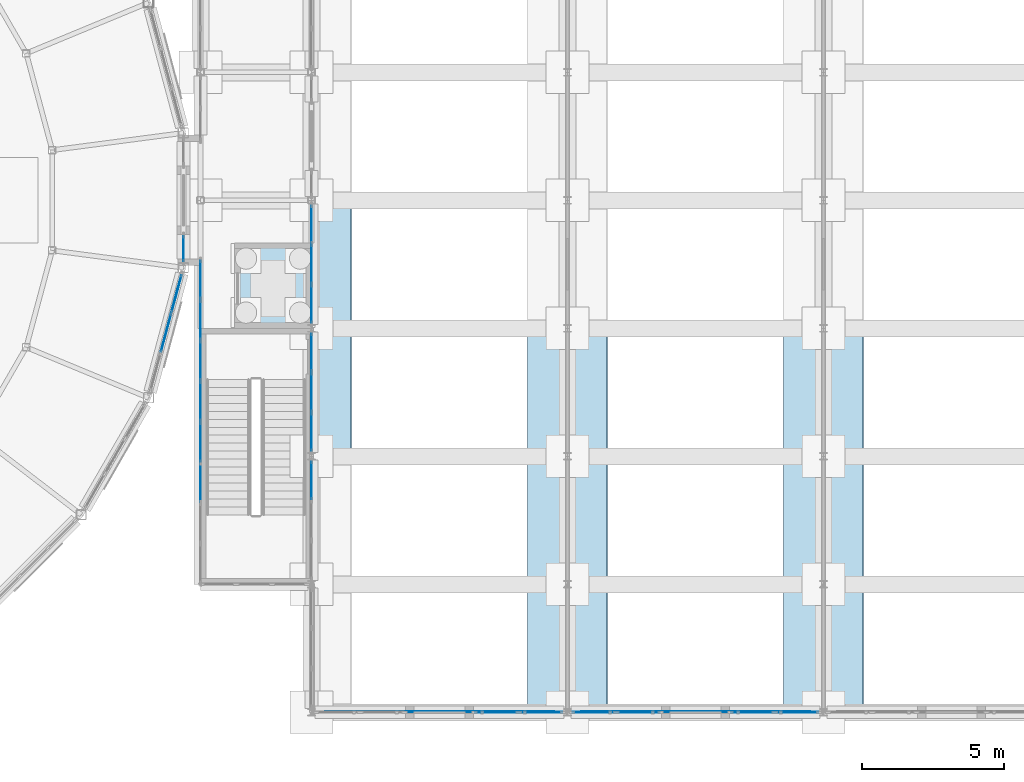
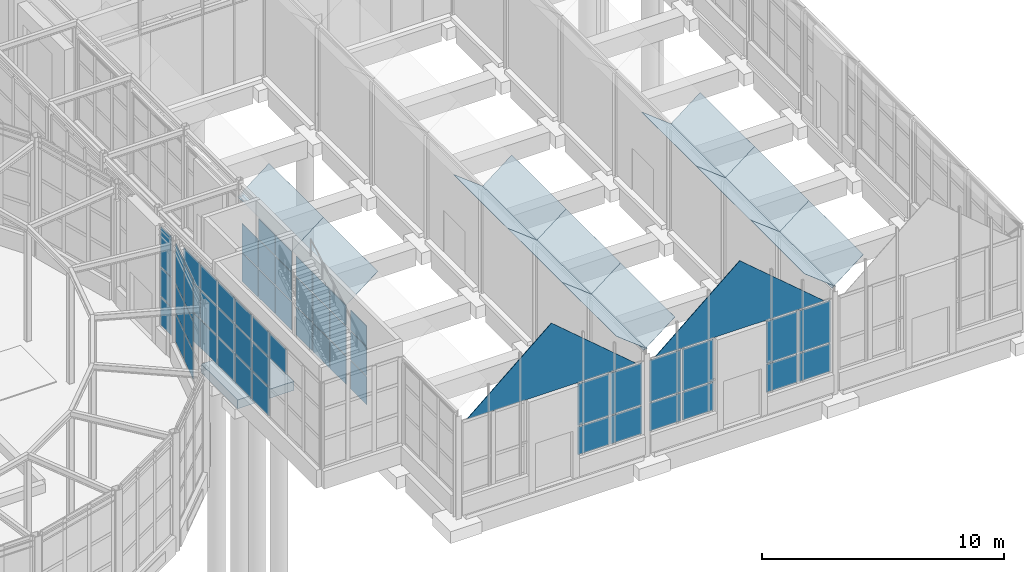
# One storey, part 62 of 106: 73 plates, 1 slab, 9 elements without a shape of their own.
"""IFC4 building model written with IfcOpenShell, lengths in metres."""

from ifc_helpers import new_model, si_unit, direction, frame, origin, origin_2d, place, context, subcontext, project, spatial, polyline, rectangle, outline, extrude, material, layer, layer_set, type_object, element, aggregate, save


model = new_model("IFC4")

# Units and contexts
model_context = context("Model", 3, precision=1e-05, world=origin(), true_north=direction((0.0, 1.0)))
body_context = subcontext(model_context, "Body", "Model", "MODEL_VIEW")
ifc_project = project(units=[si_unit("LENGTHUNIT", "METRE"), si_unit("AREAUNIT", "SQUARE_METRE"), si_unit("VOLUMEUNIT", "CUBIC_METRE"), si_unit("PLANEANGLEUNIT", "RADIAN"), si_unit("MASSUNIT", "GRAM", prefix="KILO")], contexts=[model_context])

# Site, building, storey
site_placement = place(None, origin())
site = spatial("IfcSite", under=ifc_project, at=site_placement, CompositionType="ELEMENT")
building_placement = place(site_placement, origin())
building = spatial("IfcBuilding", under=site, at=building_placement, Name="Hortulan Conservatory and Botanical Research Centre", CompositionType="ELEMENT")
storey_placement = place(building_placement, origin())
storey = spatial("IfcBuildingStorey", under=building, at=storey_placement, Name="L00", CompositionType="ELEMENT", Elevation=0.0)

# Plates
ifc_material_1 = material(Name="Verdigris copper-green zinc sheet on timber decking", Category="wood")
ifc_layer_1 = layer(ifc_material_1, 0.011962890625)
ifc_layer_set_1 = layer_set([ifc_layer_1], Name="Climate House End Bay Zinc Roof Panel 12")
plate_type_1 = type_object("IfcPlateType", Name="Climate House End Bay Zinc Roof Panel 12", PredefinedType="SHEET", material=ifc_layer_set_1)
for number, where, z_axis, x_axis, name in (
    (1, (85.60205078125, 4.5, 5.131103515625), (0.613967295793, 0.0, 0.789331463769), (-0.789331463769, 0.0, 0.613967295793), "Climate house end bay roof panel"),
    (2, (85.39794921875, 0.0, 5.131103515625), (-0.613967295793, 0.0, 0.789331463769), (0.789331463769, 0.0, 0.613967295793), "Climate house end bay roof panel"),
    (3, (94.60205078125, 4.5, 5.131103515625), (0.613967295793, 0.0, 0.789331463769), (-0.789331463769, 0.0, 0.613967295793), "Climate house end bay roof panel"),
    (4, (94.39794921875, 0.0, 5.131103515625), (-0.613967295793, 0.0, 0.789331463769), (0.789331463769, 0.0, 0.613967295793), "Climate house end bay roof panel"),
):
    element("IfcPlate", number, at=place(storey_placement, frame(where, z_axis=z_axis, x_axis=x_axis)), inside=storey, type_object=plate_type_1, Name=name, PredefinedType="SHEET", context=body_context, shape_type="SweptSolid", body=[
        extrude(outline(polyline([(0.0, 0.0), (1.9003423388659808, 0.0), (1.9003423388659808, 4.5), (0.0, 4.5), (0.0, 0.0)])), origin(), (0.0, 0.0, -1.0), 0.011962890625),
    ])
ifc_material_2 = material(Name="Low-e laminated glass", Category="glass")
ifc_layer_2 = layer(ifc_material_2, 0.028076171875)
ifc_layer_set_2 = layer_set([ifc_layer_2], Name="Gable Glazing Panel 28 (laminated)")
plate_type_2 = type_object("IfcPlateType", Name="Gable Glazing Panel 28 (laminated)", PredefinedType="SHEET", material=ifc_layer_set_2)
for number, where, z_axis, x_axis, name in (
    (5, (76.949951171875, 0.0, 4.60009765625), (0.0, -1.0, 0.0), (1.0, 0.0, 0.0), "Gable glazing"),
    (6, (85.949951171875, 0.0, 4.60009765625), (0.0, -1.0, 0.0), (1.0, 0.0, 0.0), "Gable glazing"),
):
    element("IfcPlate", number, at=place(storey_placement, frame(where, z_axis=z_axis, x_axis=x_axis)), inside=storey, type_object=plate_type_2, Name=name, PredefinedType="SHEET", context=body_context, shape_type="SweptSolid", body=[
        extrude(outline(polyline([(0.0, 0.0), (8.10009765625, 0.0), (4.050048828125, 3.449951171875), (0.0, 0.0)])), origin(), (0.0, 0.0, -1.0), 0.028076171875),
    ])
ifc_layer_3 = layer(ifc_material_2, 0.011962890625)
ifc_layer_set_3 = layer_set([ifc_layer_3], Name="Glasshouse Roof Glazing Panel 12")
plate_type_3 = type_object("IfcPlateType", Name="Glasshouse Roof Glazing Panel 12", PredefinedType="SHEET", material=ifc_layer_set_3)
for number, where, z_axis, x_axis, name in (
    (7, (76.39794921875, 9.0, 5.131103515625), (-0.613967295793, 0.0, 0.789331463769), (0.789331463769, 0.0, 0.613967295793), "Glasshouse roof panel"),
    (8, (76.39794921875, 13.5, 5.131103515625), (-0.613967295793, 0.0, 0.789331463769), (0.789331463769, 0.0, 0.613967295793), "Glasshouse roof panel"),
    (9, (85.60205078125, 9.0, 5.131103515625), (0.613967295793, 0.0, 0.789331463769), (-0.789331463769, 0.0, 0.613967295793), "Glasshouse roof panel"),
    (10, (85.60205078125, 13.5, 5.131103515625), (0.613967295793, 0.0, 0.789331463769), (-0.789331463769, 0.0, 0.613967295793), "Glasshouse roof panel"),
    (11, (85.39794921875, 4.5, 5.131103515625), (-0.613967295793, 0.0, 0.789331463769), (0.789331463769, 0.0, 0.613967295793), "Glasshouse roof panel"),
    (12, (85.39794921875, 9.0, 5.131103515625), (-0.613967295793, 0.0, 0.789331463769), (0.789331463769, 0.0, 0.613967295793), "Glasshouse roof panel"),
    (13, (94.60205078125, 9.0, 5.131103515625), (0.613967295793, 0.0, 0.789331463769), (-0.789331463769, 0.0, 0.613967295793), "Glasshouse roof panel"),
    (14, (94.60205078125, 13.5, 5.131103515625), (0.613967295793, 0.0, 0.789331463769), (-0.789331463769, 0.0, 0.613967295793), "Glasshouse roof panel"),
    (15, (94.39794921875, 4.5, 5.131103515625), (-0.613967295793, 0.0, 0.789331463769), (0.789331463769, 0.0, 0.613967295793), "Glasshouse roof panel"),
    (16, (94.39794921875, 9.0, 5.131103515625), (-0.613967295793, 0.0, 0.789331463769), (0.789331463769, 0.0, 0.613967295793), "Glasshouse roof panel"),
):
    element("IfcPlate", number, at=place(storey_placement, frame(where, z_axis=z_axis, x_axis=x_axis)), inside=storey, type_object=plate_type_3, Name=name, PredefinedType="SHEET", context=body_context, shape_type="SweptSolid", body=[
        extrude(outline(polyline([(0.0, 0.0), (1.9003423388659808, 0.0), (1.9003423388659808, 4.5), (0.0, 4.5), (0.0, 0.0)])), origin(), (0.0, 0.0, -1.0), 0.011962890625),
    ])

# Curtain wall, plates
ifc_material_3 = material(Name="Bronze-finished aluminium", Category="aluminium")
ifc_layer_4 = layer(ifc_material_3, 0.10009765625)
ifc_layer_set_4 = layer_set([ifc_layer_4], Name="Bronze-framed Curtain Wall 1500 module")
curtain_wall_type = type_object("IfcCurtainWallType", Name="Bronze-framed Curtain Wall 1500 module", PredefinedType="NOTDEFINED", material=ifc_layer_set_4)
curtain_wall_1_placement = place(storey_placement, origin())
curtain_wall_1 = element("IfcCurtainWall", 17, at=curtain_wall_1_placement, inside=storey, type_object=curtain_wall_type, Name="Curtain wall", PredefinedType="NOTDEFINED")
ifc_layer_5 = layer(ifc_material_2, 0.028076171875)
ifc_layer_set_5 = layer_set([ifc_layer_5], Name="Laminated Glass Panel 28")
plate_type_4 = type_object("IfcPlateType", Name="Laminated Glass Panel 28", PredefinedType="CURTAIN_PANEL", material=ifc_layer_set_5)
plate_1_placement = place(storey_placement, frame((71.754638671875, 14.714599609375, 0.9599609375), z_axis=(0.0, 0.0, 1.0), x_axis=(-0.258831936284, -0.965922372015, 0.0)))
plate_1 = element("IfcPlate", 18, at=plate_1_placement, type_object=plate_type_4, Name="CW1 panel 1.1", PredefinedType="CURTAIN_PANEL", context=body_context, shape_type="SweptSolid", body=[
    extrude(rectangle(XDim=1.346923828125, YDim=0.028076171875, at=origin_2d()), origin(), (0.0, 0.0, 1.0), 1.409912109375),
])
plate_2_placement = place(storey_placement, frame((71.754638671875, 14.714599609375, 2.429931640625), z_axis=(0.0, 0.0, 1.0), x_axis=(-0.258831936284, -0.965922372015, 0.0)))
plate_2 = element("IfcPlate", 19, at=plate_2_placement, type_object=plate_type_4, Name="CW1 panel 1.2", PredefinedType="CURTAIN_PANEL", context=body_context, shape_type="SweptSolid", body=[
    extrude(rectangle(XDim=1.346923828125, YDim=0.028076171875, at=origin_2d()), origin(), (0.0, 0.0, 1.0), 1.43994140625),
])
plate_3_placement = place(storey_placement, frame((71.754638671875, 14.714599609375, 3.93017578125), z_axis=(0.0, 0.0, 1.0), x_axis=(-0.258831936284, -0.965922372015, 0.0)))
plate_3 = element("IfcPlate", 20, at=plate_3_placement, type_object=plate_type_4, Name="CW1 panel 1.3", PredefinedType="CURTAIN_PANEL", context=body_context, shape_type="SweptSolid", body=[
    extrude(rectangle(XDim=1.346923828125, YDim=0.028076171875, at=origin_2d()), origin(), (0.0, 0.0, 1.0), 2.010009765625),
])
plate_4_placement = place(storey_placement, frame((71.38671875, 13.341064453125, 0.9599609375), z_axis=(0.0, 0.0, 1.0), x_axis=(-0.258831936284, -0.965922372015, 0.0)))
plate_4 = element("IfcPlate", 21, at=plate_4_placement, type_object=plate_type_4, Name="CW1 panel 2.1", PredefinedType="CURTAIN_PANEL", context=body_context, shape_type="SweptSolid", body=[
    extrude(rectangle(XDim=1.376953125, YDim=0.028076171875, at=origin_2d()), origin(), (0.0, 0.0, 1.0), 1.409912109375),
])
plate_5_placement = place(storey_placement, frame((71.38671875, 13.341064453125, 2.429931640625), z_axis=(0.0, 0.0, 1.0), x_axis=(-0.258831936284, -0.965922372015, 0.0)))
plate_5 = element("IfcPlate", 22, at=plate_5_placement, type_object=plate_type_4, Name="CW1 panel 2.2", PredefinedType="CURTAIN_PANEL", context=body_context, shape_type="SweptSolid", body=[
    extrude(rectangle(XDim=1.376953125, YDim=0.028076171875, at=origin_2d()), origin(), (0.0, 0.0, 1.0), 1.43994140625),
])
plate_6_placement = place(storey_placement, frame((71.38671875, 13.341064453125, 3.93017578125), z_axis=(0.0, 0.0, 1.0), x_axis=(-0.258831936284, -0.965922372015, 0.0)))
plate_6 = element("IfcPlate", 23, at=plate_6_placement, type_object=plate_type_4, Name="CW1 panel 2.3", PredefinedType="CURTAIN_PANEL", context=body_context, shape_type="SweptSolid", body=[
    extrude(rectangle(XDim=1.376953125, YDim=0.028076171875, at=origin_2d()), origin(), (0.0, 0.0, 1.0), 2.010009765625),
])
aggregate(curtain_wall_1, [plate_1, plate_2, plate_3, plate_4, plate_5, plate_6])

curtain_wall_2_placement = place(storey_placement, origin())
curtain_wall_2 = element("IfcCurtainWall", 24, at=curtain_wall_2_placement, inside=storey, type_object=curtain_wall_type, Name="Curtain wall", PredefinedType="NOTDEFINED")
plate_7_placement = place(storey_placement, frame((72.0, 16.302490234375, 0.9599609375), z_axis=(0.0, 0.0, 1.0), x_axis=(0.0, -1.0, 0.0)))
plate_7 = element("IfcPlate", 25, at=plate_7_placement, type_object=plate_type_4, Name="CW1 panel 1.1", PredefinedType="CURTAIN_PANEL", context=body_context, shape_type="SweptSolid", body=[
    extrude(rectangle(XDim=0.875, YDim=0.028076171875, at=origin_2d()), origin(), (0.0, 0.0, 1.0), 1.409912109375),
])
plate_8_placement = place(storey_placement, frame((72.0, 16.302490234375, 2.429931640625), z_axis=(0.0, 0.0, 1.0), x_axis=(0.0, -1.0, 0.0)))
plate_8 = element("IfcPlate", 26, at=plate_8_placement, type_object=plate_type_4, Name="CW1 panel 1.2", PredefinedType="CURTAIN_PANEL", context=body_context, shape_type="SweptSolid", body=[
    extrude(rectangle(XDim=0.875, YDim=0.028076171875, at=origin_2d()), origin(), (0.0, 0.0, 1.0), 1.43994140625),
])
plate_9_placement = place(storey_placement, frame((72.0, 16.302490234375, 3.93017578125), z_axis=(0.0, 0.0, 1.0), x_axis=(0.0, -1.0, 0.0)))
plate_9 = element("IfcPlate", 27, at=plate_9_placement, type_object=plate_type_4, Name="CW1 panel 1.3", PredefinedType="CURTAIN_PANEL", context=body_context, shape_type="SweptSolid", body=[
    extrude(rectangle(XDim=0.875, YDim=0.028076171875, at=origin_2d()), origin(), (0.0, 0.0, 1.0), 2.010009765625),
])
aggregate(curtain_wall_2, [plate_7, plate_8, plate_9])

curtain_wall_3_placement = place(storey_placement, origin())
curtain_wall_3 = element("IfcCurtainWall", 28, at=curtain_wall_3_placement, inside=storey, type_object=curtain_wall_type, Name="Curtain wall", PredefinedType="NOTDEFINED")
plate_10_placement = place(storey_placement, frame((72.60009765625, 8.072021484375, 3.929931640625), z_axis=(0.0, 0.0, 1.0), x_axis=(0.0, 1.0, 0.0)))
plate_10 = element("IfcPlate", 29, at=plate_10_placement, type_object=plate_type_4, Name="CW1 panel 3.3", PredefinedType="CURTAIN_PANEL", context=body_context, shape_type="SweptSolid", body=[
    extrude(rectangle(XDim=1.368896484375, YDim=0.028076171875, at=origin_2d()), origin(), (0.0, 0.0, 1.0), 1.25),
])
plate_11_placement = place(storey_placement, frame((72.60009765625, 9.500732421875, 0.9599609375), z_axis=(0.0, 0.0, 1.0), x_axis=(0.0, 1.0, 0.0)))
plate_11 = element("IfcPlate", 30, at=plate_11_placement, type_object=plate_type_4, Name="CW1 panel 4.1", PredefinedType="CURTAIN_PANEL", context=body_context, shape_type="SweptSolid", body=[
    extrude(rectangle(XDim=1.368896484375, YDim=0.028076171875, at=origin_2d()), origin(), (0.0, 0.0, 1.0), 1.409912109375),
])
plate_12_placement = place(storey_placement, frame((72.60009765625, 9.500732421875, 2.429931640625), z_axis=(0.0, 0.0, 1.0), x_axis=(0.0, 1.0, 0.0)))
plate_12 = element("IfcPlate", 31, at=plate_12_placement, type_object=plate_type_4, Name="CW1 panel 4.2", PredefinedType="CURTAIN_PANEL", context=body_context, shape_type="SweptSolid", body=[
    extrude(rectangle(XDim=1.368896484375, YDim=0.028076171875, at=origin_2d()), origin(), (0.0, 0.0, 1.0), 1.43994140625),
])
plate_13_placement = place(storey_placement, frame((72.60009765625, 9.500732421875, 3.929931640625), z_axis=(0.0, 0.0, 1.0), x_axis=(0.0, 1.0, 0.0)))
plate_13 = element("IfcPlate", 32, at=plate_13_placement, type_object=plate_type_4, Name="CW1 panel 4.3", PredefinedType="CURTAIN_PANEL", context=body_context, shape_type="SweptSolid", body=[
    extrude(rectangle(XDim=1.368896484375, YDim=0.028076171875, at=origin_2d()), origin(), (0.0, 0.0, 1.0), 1.25),
])
plate_14_placement = place(storey_placement, frame((72.60009765625, 10.929443359375, 0.9599609375), z_axis=(0.0, 0.0, 1.0), x_axis=(0.0, 1.0, 0.0)))
plate_14 = element("IfcPlate", 33, at=plate_14_placement, type_object=plate_type_4, Name="CW1 panel 5.1", PredefinedType="CURTAIN_PANEL", context=body_context, shape_type="SweptSolid", body=[
    extrude(rectangle(XDim=1.368896484375, YDim=0.028076171875, at=origin_2d()), origin(), (0.0, 0.0, 1.0), 1.409912109375),
])
plate_15_placement = place(storey_placement, frame((72.60009765625, 10.929443359375, 2.429931640625), z_axis=(0.0, 0.0, 1.0), x_axis=(0.0, 1.0, 0.0)))
plate_15 = element("IfcPlate", 34, at=plate_15_placement, type_object=plate_type_4, Name="CW1 panel 5.2", PredefinedType="CURTAIN_PANEL", context=body_context, shape_type="SweptSolid", body=[
    extrude(rectangle(XDim=1.368896484375, YDim=0.028076171875, at=origin_2d()), origin(), (0.0, 0.0, 1.0), 1.43994140625),
])
plate_16_placement = place(storey_placement, frame((72.60009765625, 10.929443359375, 3.929931640625), z_axis=(0.0, 0.0, 1.0), x_axis=(0.0, 1.0, 0.0)))
plate_16 = element("IfcPlate", 35, at=plate_16_placement, type_object=plate_type_4, Name="CW1 panel 5.3", PredefinedType="CURTAIN_PANEL", context=body_context, shape_type="SweptSolid", body=[
    extrude(rectangle(XDim=1.368896484375, YDim=0.028076171875, at=origin_2d()), origin(), (0.0, 0.0, 1.0), 1.25),
])
plate_17_placement = place(storey_placement, frame((72.60009765625, 12.3583984375, 0.9599609375), z_axis=(0.0, 0.0, 1.0), x_axis=(0.0, 1.0, 0.0)))
plate_17 = element("IfcPlate", 36, at=plate_17_placement, type_object=plate_type_4, Name="CW1 panel 6.1", PredefinedType="CURTAIN_PANEL", context=body_context, shape_type="SweptSolid", body=[
    extrude(rectangle(XDim=1.368896484375, YDim=0.028076171875, at=origin_2d()), origin(), (0.0, 0.0, 1.0), 1.409912109375),
])
plate_18_placement = place(storey_placement, frame((72.60009765625, 12.3583984375, 2.429931640625), z_axis=(0.0, 0.0, 1.0), x_axis=(0.0, 1.0, 0.0)))
plate_18 = element("IfcPlate", 37, at=plate_18_placement, type_object=plate_type_4, Name="CW1 panel 6.2", PredefinedType="CURTAIN_PANEL", context=body_context, shape_type="SweptSolid", body=[
    extrude(rectangle(XDim=1.368896484375, YDim=0.028076171875, at=origin_2d()), origin(), (0.0, 0.0, 1.0), 1.43994140625),
])
plate_19_placement = place(storey_placement, frame((72.60009765625, 12.3583984375, 3.929931640625), z_axis=(0.0, 0.0, 1.0), x_axis=(0.0, 1.0, 0.0)))
plate_19 = element("IfcPlate", 38, at=plate_19_placement, type_object=plate_type_4, Name="CW1 panel 6.3", PredefinedType="CURTAIN_PANEL", context=body_context, shape_type="SweptSolid", body=[
    extrude(rectangle(XDim=1.368896484375, YDim=0.028076171875, at=origin_2d()), origin(), (0.0, 0.0, 1.0), 1.25),
])
plate_20_placement = place(storey_placement, frame((72.60009765625, 13.787109375, 0.9599609375), z_axis=(0.0, 0.0, 1.0), x_axis=(0.0, 1.0, 0.0)))
plate_20 = element("IfcPlate", 39, at=plate_20_placement, type_object=plate_type_4, Name="CW1 panel 7.1", PredefinedType="CURTAIN_PANEL", context=body_context, shape_type="SweptSolid", body=[
    extrude(rectangle(XDim=1.368896484375, YDim=0.028076171875, at=origin_2d()), origin(), (0.0, 0.0, 1.0), 1.409912109375),
])
plate_21_placement = place(storey_placement, frame((72.60009765625, 13.787109375, 2.429931640625), z_axis=(0.0, 0.0, 1.0), x_axis=(0.0, 1.0, 0.0)))
plate_21 = element("IfcPlate", 40, at=plate_21_placement, type_object=plate_type_4, Name="CW1 panel 7.2", PredefinedType="CURTAIN_PANEL", context=body_context, shape_type="SweptSolid", body=[
    extrude(rectangle(XDim=1.368896484375, YDim=0.028076171875, at=origin_2d()), origin(), (0.0, 0.0, 1.0), 1.43994140625),
])
plate_22_placement = place(storey_placement, frame((72.60009765625, 13.787109375, 3.929931640625), z_axis=(0.0, 0.0, 1.0), x_axis=(0.0, 1.0, 0.0)))
plate_22 = element("IfcPlate", 41, at=plate_22_placement, type_object=plate_type_4, Name="CW1 panel 7.3", PredefinedType="CURTAIN_PANEL", context=body_context, shape_type="SweptSolid", body=[
    extrude(rectangle(XDim=1.368896484375, YDim=0.028076171875, at=origin_2d()), origin(), (0.0, 0.0, 1.0), 1.25),
])
plate_23_placement = place(storey_placement, frame((72.60009765625, 15.200927734375, 0.9599609375), z_axis=(0.0, 0.0, 1.0), x_axis=(0.0, 1.0, 0.0)))
plate_23 = element("IfcPlate", 42, at=plate_23_placement, type_object=plate_type_4, Name="CW1 panel 8.1", PredefinedType="CURTAIN_PANEL", context=body_context, shape_type="SweptSolid", body=[
    extrude(rectangle(XDim=1.3388671875, YDim=0.028076171875, at=origin_2d()), origin(), (0.0, 0.0, 1.0), 1.409912109375),
])
plate_24_placement = place(storey_placement, frame((72.60009765625, 15.200927734375, 2.429931640625), z_axis=(0.0, 0.0, 1.0), x_axis=(0.0, 1.0, 0.0)))
plate_24 = element("IfcPlate", 43, at=plate_24_placement, type_object=plate_type_4, Name="CW1 panel 8.2", PredefinedType="CURTAIN_PANEL", context=body_context, shape_type="SweptSolid", body=[
    extrude(rectangle(XDim=1.3388671875, YDim=0.028076171875, at=origin_2d()), origin(), (0.0, 0.0, 1.0), 1.43994140625),
])
plate_25_placement = place(storey_placement, frame((72.60009765625, 15.200927734375, 3.929931640625), z_axis=(0.0, 0.0, 1.0), x_axis=(0.0, 1.0, 0.0)))
plate_25 = element("IfcPlate", 44, at=plate_25_placement, type_object=plate_type_4, Name="CW1 panel 8.3", PredefinedType="CURTAIN_PANEL", context=body_context, shape_type="SweptSolid", body=[
    extrude(rectangle(XDim=1.3388671875, YDim=0.028076171875, at=origin_2d()), origin(), (0.0, 0.0, 1.0), 1.25),
])
aggregate(curtain_wall_3, [plate_10, plate_11, plate_12, plate_13, plate_14, plate_15, plate_16, plate_17, plate_18, plate_19, plate_20, plate_21, plate_22, plate_23, plate_24, plate_25])

curtain_wall_4_placement = place(storey_placement, origin())
curtain_wall_4 = element("IfcCurtainWall", 45, at=curtain_wall_4_placement, inside=storey, type_object=curtain_wall_type, Name="Curtain wall", PredefinedType="NOTDEFINED")
plate_26_placement = place(storey_placement, frame((84.564697265625, 0.0, 0.9599609375), z_axis=(0.0, 0.0, 1.0), x_axis=(-1.0, 0.0, 0.0)))
plate_26 = element("IfcPlate", 46, at=plate_26_placement, type_object=plate_type_4, Name="CW1 panel 1.1", PredefinedType="CURTAIN_PANEL", context=body_context, shape_type="SweptSolid", body=[
    extrude(rectangle(XDim=1.49658203125, YDim=0.028076171875, at=origin_2d()), origin(), (0.0, 0.0, 1.0), 1.409912109375),
])
plate_27_placement = place(storey_placement, frame((84.564697265625, 0.0, 2.43017578125), z_axis=(0.0, 0.0, 1.0), x_axis=(-1.0, 0.0, 0.0)))
plate_27 = element("IfcPlate", 47, at=plate_27_placement, type_object=plate_type_4, Name="CW1 panel 1.2", PredefinedType="CURTAIN_PANEL", context=body_context, shape_type="SweptSolid", body=[
    extrude(rectangle(XDim=1.49658203125, YDim=0.028076171875, at=origin_2d()), origin(), (0.0, 0.0, 1.0), 2.110107421875),
])
plate_28_placement = place(storey_placement, frame((83.00830078125, 0.0, 0.9599609375), z_axis=(0.0, 0.0, 1.0), x_axis=(-1.0, 0.0, 0.0)))
plate_28 = element("IfcPlate", 48, at=plate_28_placement, type_object=plate_type_4, Name="CW1 panel 2.1", PredefinedType="CURTAIN_PANEL", context=body_context, shape_type="SweptSolid", body=[
    extrude(rectangle(XDim=1.49658203125, YDim=0.028076171875, at=origin_2d()), origin(), (0.0, 0.0, 1.0), 1.409912109375),
])
plate_29_placement = place(storey_placement, frame((83.00830078125, 0.0, 2.43017578125), z_axis=(0.0, 0.0, 1.0), x_axis=(-1.0, 0.0, 0.0)))
plate_29 = element("IfcPlate", 49, at=plate_29_placement, type_object=plate_type_4, Name="CW1 panel 2.2", PredefinedType="CURTAIN_PANEL", context=body_context, shape_type="SweptSolid", body=[
    extrude(rectangle(XDim=1.49658203125, YDim=0.028076171875, at=origin_2d()), origin(), (0.0, 0.0, 1.0), 2.110107421875),
])
aggregate(curtain_wall_4, [plate_26, plate_27, plate_28, plate_29])

curtain_wall_5_placement = place(storey_placement, origin())
curtain_wall_5 = element("IfcCurtainWall", 50, at=curtain_wall_5_placement, inside=storey, type_object=curtain_wall_type, Name="Curtain wall", PredefinedType="NOTDEFINED")
plate_30_placement = place(storey_placement, frame((93.564697265625, 0.0, 0.9599609375), z_axis=(0.0, 0.0, 1.0), x_axis=(-1.0, 0.0, 0.0)))
plate_30 = element("IfcPlate", 51, at=plate_30_placement, type_object=plate_type_4, Name="CW1 panel 1.1", PredefinedType="CURTAIN_PANEL", context=body_context, shape_type="SweptSolid", body=[
    extrude(rectangle(XDim=1.49658203125, YDim=0.028076171875, at=origin_2d()), origin(), (0.0, 0.0, 1.0), 1.409912109375),
])
plate_31_placement = place(storey_placement, frame((93.564697265625, 0.0, 2.43017578125), z_axis=(0.0, 0.0, 1.0), x_axis=(-1.0, 0.0, 0.0)))
plate_31 = element("IfcPlate", 52, at=plate_31_placement, type_object=plate_type_4, Name="CW1 panel 1.2", PredefinedType="CURTAIN_PANEL", context=body_context, shape_type="SweptSolid", body=[
    extrude(rectangle(XDim=1.49658203125, YDim=0.028076171875, at=origin_2d()), origin(), (0.0, 0.0, 1.0), 2.110107421875),
])
plate_32_placement = place(storey_placement, frame((92.00830078125, 0.0, 0.9599609375), z_axis=(0.0, 0.0, 1.0), x_axis=(-1.0, 0.0, 0.0)))
plate_32 = element("IfcPlate", 53, at=plate_32_placement, type_object=plate_type_4, Name="CW1 panel 2.1", PredefinedType="CURTAIN_PANEL", context=body_context, shape_type="SweptSolid", body=[
    extrude(rectangle(XDim=1.49658203125, YDim=0.028076171875, at=origin_2d()), origin(), (0.0, 0.0, 1.0), 1.409912109375),
])
plate_33_placement = place(storey_placement, frame((92.00830078125, 0.0, 2.43017578125), z_axis=(0.0, 0.0, 1.0), x_axis=(-1.0, 0.0, 0.0)))
plate_33 = element("IfcPlate", 54, at=plate_33_placement, type_object=plate_type_4, Name="CW1 panel 2.2", PredefinedType="CURTAIN_PANEL", context=body_context, shape_type="SweptSolid", body=[
    extrude(rectangle(XDim=1.49658203125, YDim=0.028076171875, at=origin_2d()), origin(), (0.0, 0.0, 1.0), 2.110107421875),
])
aggregate(curtain_wall_5, [plate_30, plate_31, plate_32, plate_33])

curtain_wall_6_placement = place(storey_placement, origin())
curtain_wall_6 = element("IfcCurtainWall", 55, at=curtain_wall_6_placement, inside=storey, type_object=curtain_wall_type, Name="Curtain wall", PredefinedType="NOTDEFINED")
plate_34_placement = place(storey_placement, frame((87.99169921875, 0.0, 0.9599609375), z_axis=(0.0, 0.0, 1.0), x_axis=(-1.0, 0.0, 0.0)))
plate_34 = element("IfcPlate", 56, at=plate_34_placement, type_object=plate_type_4, Name="CW1 panel 1.1", PredefinedType="CURTAIN_PANEL", context=body_context, shape_type="SweptSolid", body=[
    extrude(rectangle(XDim=1.49658203125, YDim=0.028076171875, at=origin_2d()), origin(), (0.0, 0.0, 1.0), 1.409912109375),
])
plate_35_placement = place(storey_placement, frame((87.99169921875, 0.0, 2.43017578125), z_axis=(0.0, 0.0, 1.0), x_axis=(-1.0, 0.0, 0.0)))
plate_35 = element("IfcPlate", 57, at=plate_35_placement, type_object=plate_type_4, Name="CW1 panel 1.2", PredefinedType="CURTAIN_PANEL", context=body_context, shape_type="SweptSolid", body=[
    extrude(rectangle(XDim=1.49658203125, YDim=0.028076171875, at=origin_2d()), origin(), (0.0, 0.0, 1.0), 2.110107421875),
])
plate_36_placement = place(storey_placement, frame((86.435302734375, 0.0, 0.9599609375), z_axis=(0.0, 0.0, 1.0), x_axis=(-1.0, 0.0, 0.0)))
plate_36 = element("IfcPlate", 58, at=plate_36_placement, type_object=plate_type_4, Name="CW1 panel 2.1", PredefinedType="CURTAIN_PANEL", context=body_context, shape_type="SweptSolid", body=[
    extrude(rectangle(XDim=1.49658203125, YDim=0.028076171875, at=origin_2d()), origin(), (0.0, 0.0, 1.0), 1.409912109375),
])
plate_37_placement = place(storey_placement, frame((86.435302734375, 0.0, 2.43017578125), z_axis=(0.0, 0.0, 1.0), x_axis=(-1.0, 0.0, 0.0)))
plate_37 = element("IfcPlate", 59, at=plate_37_placement, type_object=plate_type_4, Name="CW1 panel 2.2", PredefinedType="CURTAIN_PANEL", context=body_context, shape_type="SweptSolid", body=[
    extrude(rectangle(XDim=1.49658203125, YDim=0.028076171875, at=origin_2d()), origin(), (0.0, 0.0, 1.0), 2.110107421875),
])
aggregate(curtain_wall_6, [plate_34, plate_35, plate_36, plate_37])

curtain_wall_7_placement = place(storey_placement, origin())
curtain_wall_7 = element("IfcCurtainWall", 60, at=curtain_wall_7_placement, inside=storey, type_object=curtain_wall_type, Name="Curtain wall", PredefinedType="NOTDEFINED")
plate_38_placement = place(storey_placement, frame((76.5, 17.152099609375, 0.9599609375), z_axis=(0.0, 0.0, 1.0), x_axis=(0.0, -1.0, 0.0)))
plate_38 = element("IfcPlate", 61, at=plate_38_placement, type_object=plate_type_4, Name="CW1 panel 1.1", PredefinedType="CURTAIN_PANEL", context=body_context, shape_type="SweptSolid", body=[
    extrude(rectangle(XDim=1.325927734375, YDim=0.028076171875, at=origin_2d()), origin(), (0.0, 0.0, 1.0), 1.409912109375),
])
plate_39_placement = place(storey_placement, frame((76.5, 17.152099609375, 2.429931640625), z_axis=(0.0, 0.0, 1.0), x_axis=(0.0, -1.0, 0.0)))
plate_39 = element("IfcPlate", 62, at=plate_39_placement, type_object=plate_type_4, Name="CW1 panel 1.2", PredefinedType="CURTAIN_PANEL", context=body_context, shape_type="SweptSolid", body=[
    extrude(rectangle(XDim=1.325927734375, YDim=0.028076171875, at=origin_2d()), origin(), (0.0, 0.0, 1.0), 1.43994140625),
])
plate_40_placement = place(storey_placement, frame((76.5, 15.7509765625, 0.9599609375), z_axis=(0.0, 0.0, 1.0), x_axis=(0.0, -1.0, 0.0)))
plate_40 = element("IfcPlate", 63, at=plate_40_placement, type_object=plate_type_4, Name="CW1 panel 2.1", PredefinedType="CURTAIN_PANEL", context=body_context, shape_type="SweptSolid", body=[
    extrude(rectangle(XDim=1.35595703125, YDim=0.028076171875, at=origin_2d()), origin(), (0.0, 0.0, 1.0), 1.409912109375),
])
plate_41_placement = place(storey_placement, frame((76.5, 15.7509765625, 2.429931640625), z_axis=(0.0, 0.0, 1.0), x_axis=(0.0, -1.0, 0.0)))
plate_41 = element("IfcPlate", 64, at=plate_41_placement, type_object=plate_type_4, Name="CW1 panel 2.2", PredefinedType="CURTAIN_PANEL", context=body_context, shape_type="SweptSolid", body=[
    extrude(rectangle(XDim=1.35595703125, YDim=0.028076171875, at=origin_2d()), origin(), (0.0, 0.0, 1.0), 1.43994140625),
])
plate_42_placement = place(storey_placement, frame((76.5, 15.7509765625, 3.93017578125), z_axis=(0.0, 0.0, 1.0), x_axis=(0.0, -1.0, 0.0)))
plate_42 = element("IfcPlate", 65, at=plate_42_placement, type_object=plate_type_4, Name="CW1 panel 2.3", PredefinedType="CURTAIN_PANEL", context=body_context, shape_type="SweptSolid", body=[
    extrude(rectangle(XDim=1.35595703125, YDim=0.028076171875, at=origin_2d()), origin(), (0.0, 0.0, 1.0), 1.010009765625),
])
plate_43_placement = place(storey_placement, frame((76.5, 14.35009765625, 0.9599609375), z_axis=(0.0, 0.0, 1.0), x_axis=(0.0, -1.0, 0.0)))
plate_43 = element("IfcPlate", 66, at=plate_43_placement, type_object=plate_type_4, Name="CW1 panel 3.1", PredefinedType="CURTAIN_PANEL", context=body_context, shape_type="SweptSolid", body=[
    extrude(rectangle(XDim=1.325927734375, YDim=0.028076171875, at=origin_2d()), origin(), (0.0, 0.0, 1.0), 1.409912109375),
])
plate_44_placement = place(storey_placement, frame((76.5, 14.35009765625, 2.429931640625), z_axis=(0.0, 0.0, 1.0), x_axis=(0.0, -1.0, 0.0)))
plate_44 = element("IfcPlate", 67, at=plate_44_placement, type_object=plate_type_4, Name="CW1 panel 3.2", PredefinedType="CURTAIN_PANEL", context=body_context, shape_type="SweptSolid", body=[
    extrude(rectangle(XDim=1.325927734375, YDim=0.028076171875, at=origin_2d()), origin(), (0.0, 0.0, 1.0), 1.43994140625),
])
plate_45_placement = place(storey_placement, frame((76.5, 14.35009765625, 3.93017578125), z_axis=(0.0, 0.0, 1.0), x_axis=(0.0, -1.0, 0.0)))
plate_45 = element("IfcPlate", 68, at=plate_45_placement, type_object=plate_type_4, Name="CW1 panel 3.3", PredefinedType="CURTAIN_PANEL", context=body_context, shape_type="SweptSolid", body=[
    extrude(rectangle(XDim=1.325927734375, YDim=0.028076171875, at=origin_2d()), origin(), (0.0, 0.0, 1.0), 1.010009765625),
])
aggregate(curtain_wall_7, [plate_38, plate_39, plate_40, plate_41, plate_42, plate_43, plate_44, plate_45])

curtain_wall_8_placement = place(storey_placement, origin())
curtain_wall_8 = element("IfcCurtainWall", 69, at=curtain_wall_8_placement, inside=storey, type_object=curtain_wall_type, Name="Curtain wall", PredefinedType="NOTDEFINED")
plate_46_placement = place(storey_placement, frame((76.5, 12.650390625, 0.9599609375), z_axis=(0.0, 0.0, 1.0), x_axis=(0.0, -1.0, 0.0)))
plate_46 = element("IfcPlate", 70, at=plate_46_placement, type_object=plate_type_4, Name="CW1 panel 1.1", PredefinedType="CURTAIN_PANEL", context=body_context, shape_type="SweptSolid", body=[
    extrude(rectangle(XDim=1.325439453125, YDim=0.028076171875, at=origin_2d()), origin(), (0.0, 0.0, 1.0), 1.409912109375),
])
plate_47_placement = place(storey_placement, frame((76.5, 12.650390625, 2.429931640625), z_axis=(0.0, 0.0, 1.0), x_axis=(0.0, -1.0, 0.0)))
plate_47 = element("IfcPlate", 71, at=plate_47_placement, type_object=plate_type_4, Name="CW1 panel 1.2", PredefinedType="CURTAIN_PANEL", context=body_context, shape_type="SweptSolid", body=[
    extrude(rectangle(XDim=1.325439453125, YDim=0.028076171875, at=origin_2d()), origin(), (0.0, 0.0, 1.0), 1.43994140625),
])
plate_48_placement = place(storey_placement, frame((76.5, 12.650390625, 3.93017578125), z_axis=(0.0, 0.0, 1.0), x_axis=(0.0, -1.0, 0.0)))
plate_48 = element("IfcPlate", 72, at=plate_48_placement, type_object=plate_type_4, Name="CW1 panel 1.3", PredefinedType="CURTAIN_PANEL", context=body_context, shape_type="SweptSolid", body=[
    extrude(rectangle(XDim=1.325439453125, YDim=0.028076171875, at=origin_2d()), origin(), (0.0, 0.0, 1.0), 1.010009765625),
])
plate_49_placement = place(storey_placement, frame((76.5, 11.25, 0.9599609375), z_axis=(0.0, 0.0, 1.0), x_axis=(0.0, -1.0, 0.0)))
plate_49 = element("IfcPlate", 73, at=plate_49_placement, type_object=plate_type_4, Name="CW1 panel 2.1", PredefinedType="CURTAIN_PANEL", context=body_context, shape_type="SweptSolid", body=[
    extrude(rectangle(XDim=1.355224609375, YDim=0.028076171875, at=origin_2d()), origin(), (0.0, 0.0, 1.0), 1.409912109375),
])
plate_50_placement = place(storey_placement, frame((76.5, 11.25, 2.429931640625), z_axis=(0.0, 0.0, 1.0), x_axis=(0.0, -1.0, 0.0)))
plate_50 = element("IfcPlate", 74, at=plate_50_placement, type_object=plate_type_4, Name="CW1 panel 2.2", PredefinedType="CURTAIN_PANEL", context=body_context, shape_type="SweptSolid", body=[
    extrude(rectangle(XDim=1.355224609375, YDim=0.028076171875, at=origin_2d()), origin(), (0.0, 0.0, 1.0), 1.43994140625),
])
plate_51_placement = place(storey_placement, frame((76.5, 11.25, 3.93017578125), z_axis=(0.0, 0.0, 1.0), x_axis=(0.0, -1.0, 0.0)))
plate_51 = element("IfcPlate", 75, at=plate_51_placement, type_object=plate_type_4, Name="CW1 panel 2.3", PredefinedType="CURTAIN_PANEL", context=body_context, shape_type="SweptSolid", body=[
    extrude(rectangle(XDim=1.355224609375, YDim=0.028076171875, at=origin_2d()), origin(), (0.0, 0.0, 1.0), 1.010009765625),
])
plate_52_placement = place(storey_placement, frame((76.5, 9.849609375, 0.9599609375), z_axis=(0.0, 0.0, 1.0), x_axis=(0.0, -1.0, 0.0)))
plate_52 = element("IfcPlate", 76, at=plate_52_placement, type_object=plate_type_4, Name="CW1 panel 3.1", PredefinedType="CURTAIN_PANEL", context=body_context, shape_type="SweptSolid", body=[
    extrude(rectangle(XDim=1.325439453125, YDim=0.028076171875, at=origin_2d()), origin(), (0.0, 0.0, 1.0), 1.409912109375),
])
plate_53_placement = place(storey_placement, frame((76.5, 9.849609375, 2.429931640625), z_axis=(0.0, 0.0, 1.0), x_axis=(0.0, -1.0, 0.0)))
plate_53 = element("IfcPlate", 77, at=plate_53_placement, type_object=plate_type_4, Name="CW1 panel 3.2", PredefinedType="CURTAIN_PANEL", context=body_context, shape_type="SweptSolid", body=[
    extrude(rectangle(XDim=1.325439453125, YDim=0.028076171875, at=origin_2d()), origin(), (0.0, 0.0, 1.0), 1.43994140625),
])
plate_54_placement = place(storey_placement, frame((76.5, 9.849609375, 3.93017578125), z_axis=(0.0, 0.0, 1.0), x_axis=(0.0, -1.0, 0.0)))
plate_54 = element("IfcPlate", 78, at=plate_54_placement, type_object=plate_type_4, Name="CW1 panel 3.3", PredefinedType="CURTAIN_PANEL", context=body_context, shape_type="SweptSolid", body=[
    extrude(rectangle(XDim=1.325439453125, YDim=0.028076171875, at=origin_2d()), origin(), (0.0, 0.0, 1.0), 1.010009765625),
])
aggregate(curtain_wall_8, [plate_46, plate_47, plate_48, plate_49, plate_50, plate_51, plate_52, plate_53, plate_54])

curtain_wall_9_placement = place(storey_placement, origin())
curtain_wall_9 = element("IfcCurtainWall", 79, at=curtain_wall_9_placement, inside=storey, type_object=curtain_wall_type, Name="Curtain wall", PredefinedType="NOTDEFINED")
plate_55_placement = place(storey_placement, frame((76.5, 8.150390625, 0.9599609375), z_axis=(0.0, 0.0, 1.0), x_axis=(0.0, -1.0, 0.0)))
plate_55 = element("IfcPlate", 80, at=plate_55_placement, type_object=plate_type_4, Name="CW1 panel 1.1", PredefinedType="CURTAIN_PANEL", context=body_context, shape_type="SweptSolid", body=[
    extrude(rectangle(XDim=1.325439453125, YDim=0.028076171875, at=origin_2d()), origin(), (0.0, 0.0, 1.0), 1.409912109375),
])
plate_56_placement = place(storey_placement, frame((76.5, 8.150390625, 2.429931640625), z_axis=(0.0, 0.0, 1.0), x_axis=(0.0, -1.0, 0.0)))
plate_56 = element("IfcPlate", 81, at=plate_56_placement, type_object=plate_type_4, Name="CW1 panel 1.2", PredefinedType="CURTAIN_PANEL", context=body_context, shape_type="SweptSolid", body=[
    extrude(rectangle(XDim=1.325439453125, YDim=0.028076171875, at=origin_2d()), origin(), (0.0, 0.0, 1.0), 1.43994140625),
])
plate_57_placement = place(storey_placement, frame((76.5, 8.150390625, 3.93017578125), z_axis=(0.0, 0.0, 1.0), x_axis=(0.0, -1.0, 0.0)))
plate_57 = element("IfcPlate", 82, at=plate_57_placement, type_object=plate_type_4, Name="CW1 panel 1.3", PredefinedType="CURTAIN_PANEL", context=body_context, shape_type="SweptSolid", body=[
    extrude(rectangle(XDim=1.325439453125, YDim=0.028076171875, at=origin_2d()), origin(), (0.0, 0.0, 1.0), 1.010009765625),
])
aggregate(curtain_wall_9, [plate_55, plate_56, plate_57])

# Slab
ifc_material_4 = material(Name="Concrete N40 (40 MPa, AS 3600)", Category="concrete")
ifc_layer_6 = layer(ifc_material_4, 0.449951171875)
ifc_layer_set_6 = layer_set([ifc_layer_6], Name="Lift Pit Base Slab 450")
slab_type = type_object("IfcSlabType", Name="Lift Pit Base Slab 450", PredefinedType="BASESLAB", material=ifc_layer_set_6)
slab_placement = place(storey_placement, frame((0.0, 0.0, -1.949951171875)))
element("IfcSlab", 83, at=slab_placement, inside=storey, type_object=slab_type, Name="HE lift pit base slab", PredefinedType="BASESLAB", context=body_context, shape_type="SweptSolid", body=[
    extrude(outline(polyline([(73.800048828125, 13.5), (76.5, 13.5), (76.5, 16.5), (73.800048828125, 16.5), (73.800048828125, 13.5)])), origin(), (0.0, 0.0, 1.0), 0.449951171875),
])

save(model, "model.ifc")
